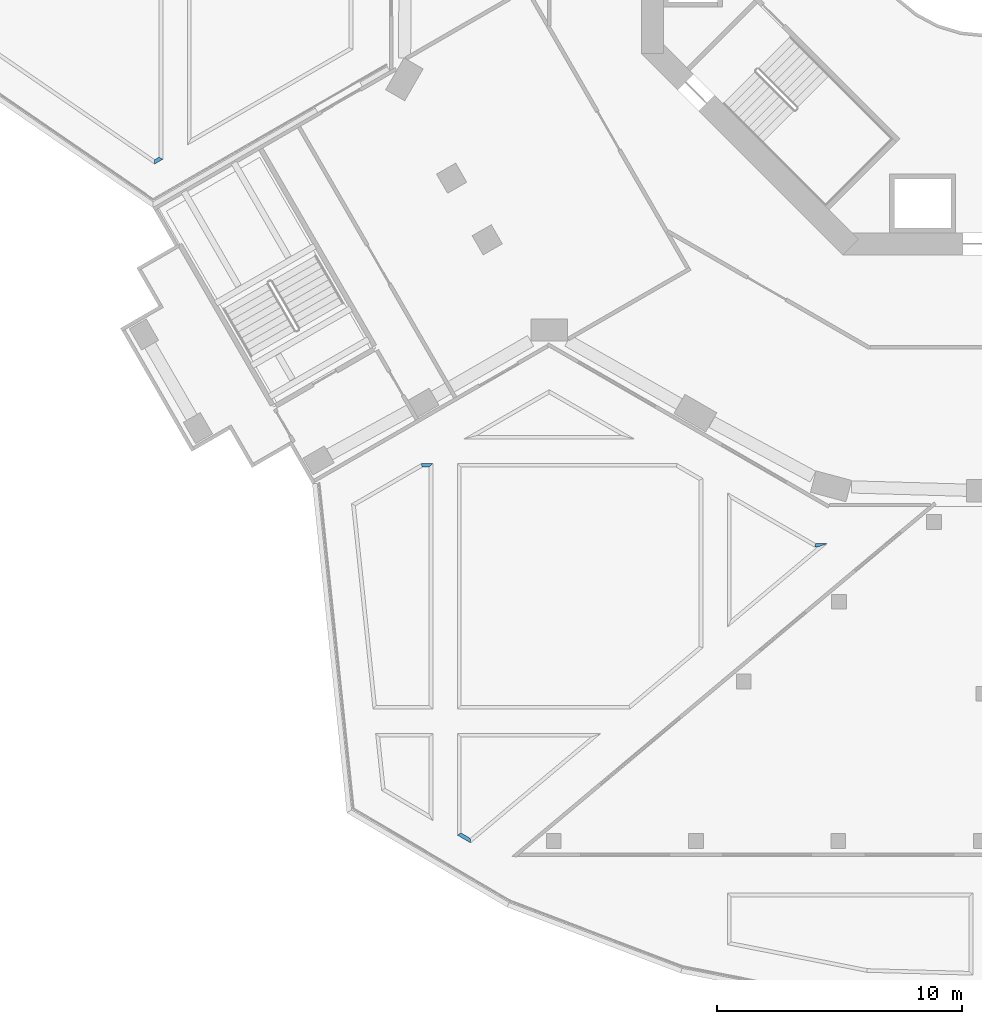
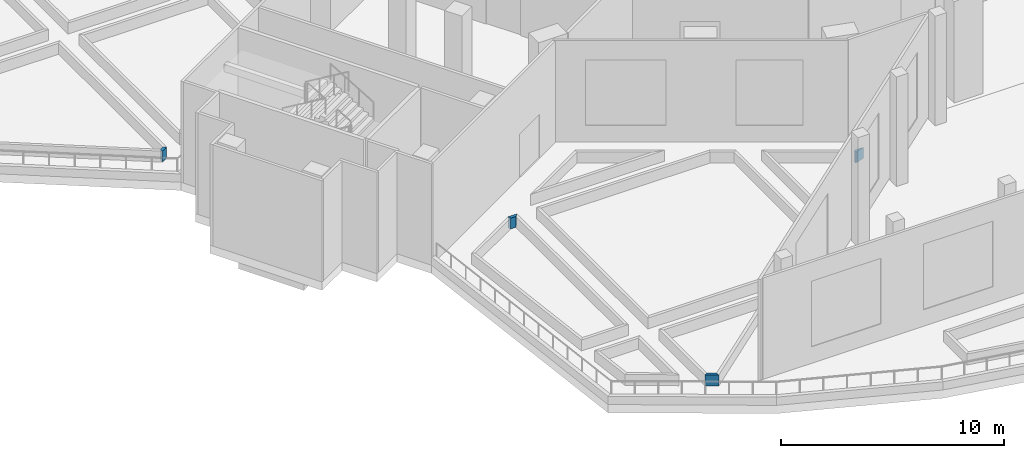
# One storey, part 11 of 29: 4 walls.
"""IFC4 building model written with IfcOpenShell, lengths in metres."""

from ifc_helpers import new_model, si_unit, direction, frame, origin, place, context, subcontext, project, spatial, polyline, outline, extrude, material, layer, layer_set, type_object, element, save


model = new_model("IFC4")

# Units and contexts
model_context = context("Model", 3, precision=1e-05, world=origin(), true_north=direction((0.0, 1.0)))
body_context = subcontext(model_context, "Body", "Model", "MODEL_VIEW")
ifc_project = project(units=[si_unit("LENGTHUNIT", "METRE"), si_unit("AREAUNIT", "SQUARE_METRE"), si_unit("VOLUMEUNIT", "CUBIC_METRE"), si_unit("PLANEANGLEUNIT", "RADIAN"), si_unit("MASSUNIT", "GRAM", prefix="KILO")], contexts=[model_context])

# Site, building, storey
site_placement = place(None, origin())
site = spatial("IfcSite", under=ifc_project, at=site_placement, CompositionType="ELEMENT")
building_placement = place(site_placement, origin())
building = spatial("IfcBuilding", under=site, at=building_placement, Name="Verdalira Terraces Hotel", CompositionType="ELEMENT")
storey_placement = place(building_placement, frame((0.0, 0.0, 8.0)))
storey = spatial("IfcBuildingStorey", under=building, at=storey_placement, Name="L01", CompositionType="ELEMENT", Elevation=8.0)

# Walls
ifc_material = material(Name="Concrete C40", Category="concrete")
ifc_layer = layer(ifc_material, 0.14990234375)
ifc_layer_set = layer_set([ifc_layer], Name="Terrace planter trough 150 x 600")
wall_type = type_object("IfcWallType", Name="Terrace planter trough 150 x 600", PredefinedType="SOLIDWALL", material=ifc_layer_set)
wall_1_placement = place(storey_placement, origin())
element("IfcWall", 1, at=wall_1_placement, inside=storey, type_object=wall_type, Name="Terrace planting bed trough", PredefinedType="SOLIDWALL", context=body_context, shape_type="SweptSolid", body=[
    extrude(outline(polyline([(-33.83667, -10.298096), (-33.5, -10.103516), (-33.649902, -10.01709), (-33.82959, -10.120605), (-33.83667, -10.298096)])), origin(), (0.0, 0.0, 1.0), 0.600098),
])
wall_2_placement = place(storey_placement, origin())
element("IfcWall", 2, at=wall_2_placement, inside=storey, type_object=wall_type, Name="Terrace planting bed trough", PredefinedType="SOLIDWALL", context=body_context, shape_type="SweptSolid", body=[
    extrude(outline(polyline([(-6.429199, -25.758301), (-6.901855, -25.758301), (-6.942139, -25.908203), (-6.841309, -25.908203), (-6.429199, -25.758301)])), origin(), (0.0, 0.0, 1.0), 0.600098),
])
wall_3_placement = place(storey_placement, origin())
element("IfcWall", 3, at=wall_3_placement, inside=storey, type_object=wall_type, Name="Terrace planting bed trough", PredefinedType="SOLIDWALL", context=body_context, shape_type="SweptSolid", body=[
    extrude(outline(polyline([(-21.5, -37.635986), (-20.961914, -37.952637), (-20.977051, -37.769775), (-21.350098, -37.550293), (-21.5, -37.635986)])), origin(), (0.0, 0.0, 1.0), 0.600098),
])
wall_4_placement = place(storey_placement, origin())
element("IfcWall", 4, at=wall_4_placement, inside=storey, type_object=wall_type, Name="Terrace planting bed trough", PredefinedType="SOLIDWALL", context=body_context, shape_type="SweptSolid", body=[
    extrude(outline(polyline([(-22.5, -22.5), (-22.971191, -22.5), (-22.930908, -22.649902), (-22.649902, -22.649902), (-22.5, -22.5)])), origin(), (0.0, 0.0, 1.0), 0.600098),
])

save(model, "model.ifc")
